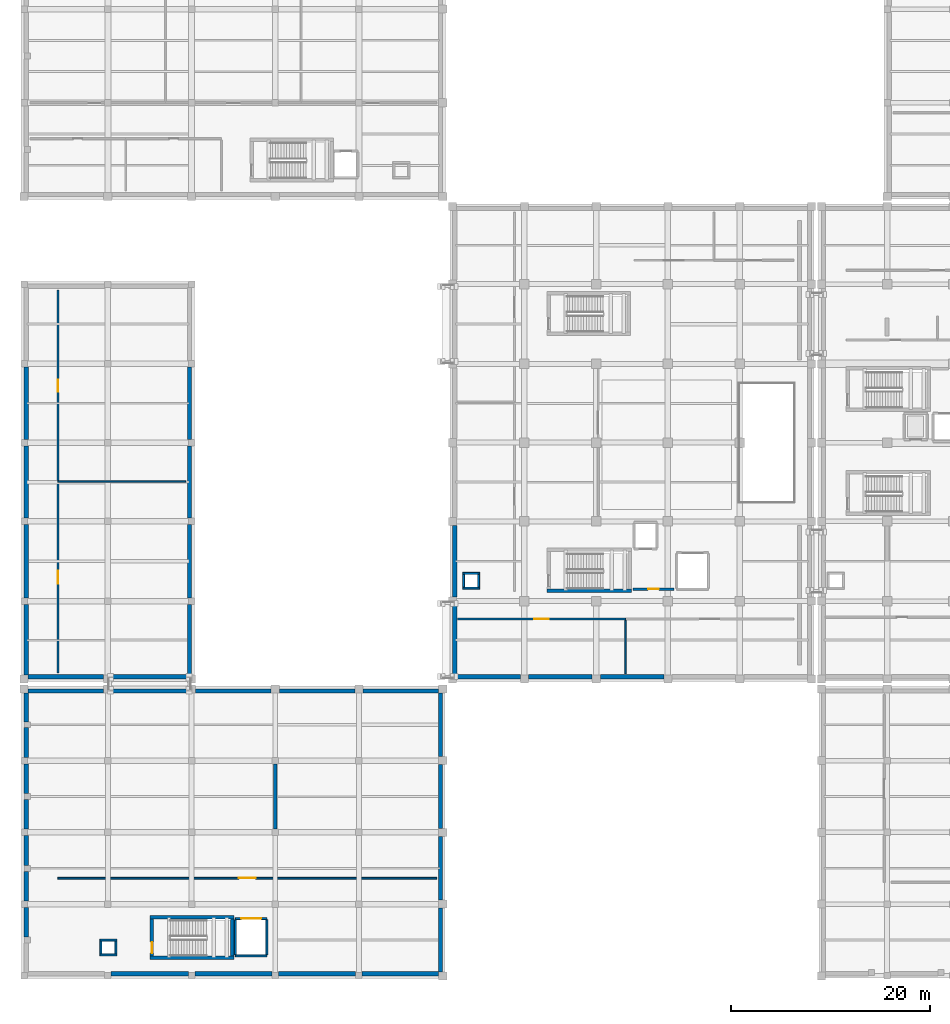
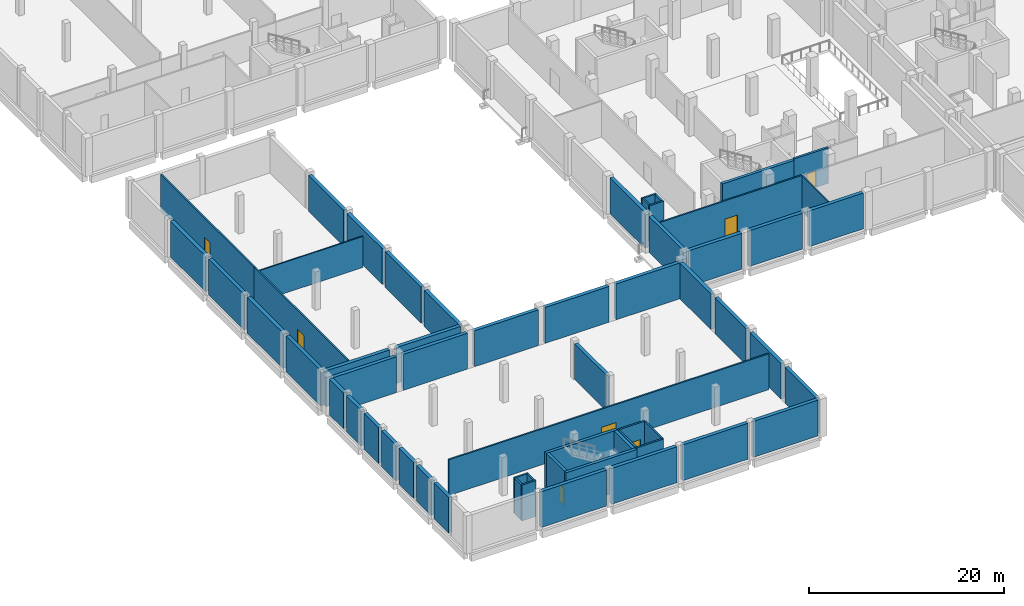
# One storey, part 12 of 31: 60 walls, 7 doors, 7 openings.
"""IFC4 building model written with IfcOpenShell, lengths in metres."""

from ifc_helpers import new_model, si_unit, direction, frame, frame_2d, origin, place, context, subcontext, project, spatial, rectangle, extrude, material, layer, layer_set, type_object, element, fill, save


model = new_model("IFC4")

# Units and contexts
model_context = context("Model", 3, precision=1e-05, world=origin(), true_north=direction((0.0, 1.0)))
body_context = subcontext(model_context, "Body", "Model", "MODEL_VIEW")
ifc_project = project(units=[si_unit("LENGTHUNIT", "METRE"), si_unit("AREAUNIT", "SQUARE_METRE"), si_unit("VOLUMEUNIT", "CUBIC_METRE"), si_unit("PLANEANGLEUNIT", "RADIAN"), si_unit("MASSUNIT", "GRAM", prefix="KILO")], contexts=[model_context])

# Site, building, storey
site_placement = place(None, origin())
site = spatial("IfcSite", under=ifc_project, at=site_placement, CompositionType="ELEMENT")
building_placement = place(site_placement, origin())
building = spatial("IfcBuilding", under=site, at=building_placement, Name="Kelarvand Opera House", CompositionType="ELEMENT")
storey_placement = place(building_placement, frame((0.0, 0.0, -4.800048828125)))
storey = spatial("IfcBuildingStorey", under=building, at=storey_placement, Name="B1", CompositionType="ELEMENT", Elevation=-4.800048828125)

# Walls
ifc_material_1 = material(Name="Acoustic double-stud gypsum partition")
ifc_layer_1 = layer(ifc_material_1, 0.14990234375, Name="Acoustic double-stud gypsum partition")
ifc_layer_set_1 = layer_set([ifc_layer_1], Name="Acoustic double-stud gypsum partition")
wall_type_1 = type_object("IfcWallType", Name="Acoustic Room Partition Wall 150", PredefinedType="PARTITIONING", material=ifc_layer_set_1)
wall_1_placement = place(storey_placement, frame((69.35009765625, 39.300048828125, 0.0), z_axis=(0.0, 0.0, 1.0), x_axis=(0.0, 1.0, 0.0)))
element("IfcWall", 1, at=wall_1_placement, inside=storey, type_object=wall_type_1, Name="V2 B1 Partition Wall IW-150 (178)", PredefinedType="PARTITIONING", context=body_context, shape_type="SweptSolid", body=[
    extrude(rectangle(XDim=5.35986328125, YDim=0.14990234375, at=frame_2d((2.679931640625, 0.0))), origin(), (0.0, 0.0, 1.0), 4.47216796875),
])
wall_2_placement = place(storey_placement, frame((12.39990234375, 58.60009765625, 0.0), z_axis=(0.0, 0.0, 1.0), x_axis=(1.0, 0.0, 0.0)))
element("IfcWall", 2, at=wall_2_placement, inside=storey, type_object=wall_type_1, Name="V4 B1 Partition Wall IW-150 (195)", PredefinedType="PARTITIONING", context=body_context, shape_type="SweptSolid", body=[
    extrude(rectangle(XDim=12.800048828125, YDim=0.14990234375, at=frame_2d((6.39990234375, 0.0))), origin(), (0.0, 0.0, 1.0), 3.89208984375),
])
ifc_material_2 = material(Name="Concrete C35/45", Category="concrete")
ifc_layer_2 = layer(ifc_material_2, 0.419921875, Name="Concrete C35/45", Category="concrete")
ifc_layer_set_2 = layer_set([ifc_layer_2], Name="Concrete C35/45")
wall_type_2 = type_object("IfcWallType", Name="Basement Perimeter Retaining Wall 420", PredefinedType="SHEAR", material=ifc_layer_set_2)
wall_3_placement = place(storey_placement, frame((52.2099609375, 39.2099609375, 0.0), z_axis=(0.0, 0.0, 1.0), x_axis=(0.0, 1.0, 0.0)))
element("IfcWall", 3, at=wall_3_placement, inside=storey, type_object=wall_type_2, Name="V2 B1 Retaining Wall 209", PredefinedType="SHEAR", context=body_context, shape_type="SweptSolid", body=[
    extrude(rectangle(XDim=6.97998046875, YDim=0.419921875, at=frame_2d((3.489990234375, 0.0))), origin(), (0.0, 0.0, 1.0), 4.5),
])
wall_4_placement = place(storey_placement, frame((52.2099609375, 47.010009765625, 0.0), z_axis=(0.0, 0.0, 1.0), x_axis=(0.0, 1.0, 0.0)))
element("IfcWall", 4, at=wall_4_placement, inside=storey, type_object=wall_type_2, Name="V2 B1 Retaining Wall 210", PredefinedType="SHEAR", context=body_context, shape_type="SweptSolid", body=[
    extrude(rectangle(XDim=7.179931640625, YDim=0.419921875, at=frame_2d((3.58984375, 0.0))), origin(), (0.0, 0.0, 1.0), 4.5),
])
for number, where, z_axis, x_axis, name in (
    (5, (73.18994140625, 39.010009765625, 0.0), (0.0, 0.0, 1.0), (-1.0, 0.0, 0.0), "V2 B1 Retaining Wall 217"),
    (6, (65.989990234375, 39.010009765625, 0.0), (0.0, 0.0, 1.0), (-1.0, 0.0, 0.0), "V2 B1 Retaining Wall 218"),
):
    element("IfcWall", number, at=place(storey_placement, frame(where, z_axis=z_axis, x_axis=x_axis)), inside=storey, type_object=wall_type_2, Name=name, PredefinedType="SHEAR", context=body_context, shape_type="SweptSolid", body=[
        extrude(rectangle(XDim=6.3798828125, YDim=0.419921875, at=frame_2d((3.18994140625, 0.0))), origin(), (0.0, 0.0, 1.0), 4.5),
    ])
wall_5_placement = place(storey_placement, frame((58.7900390625, 39.010009765625, 0.0), z_axis=(0.0, 0.0, 1.0), x_axis=(-1.0, 0.0, 0.0)))
element("IfcWall", 7, at=wall_5_placement, inside=storey, type_object=wall_type_2, Name="V2 B1 Retaining Wall 219", PredefinedType="SHEAR", context=body_context, shape_type="SweptSolid", body=[
    extrude(rectangle(XDim=6.380126953125, YDim=0.419921875, at=frame_2d((3.18994140625, 0.0))), origin(), (0.0, 0.0, 1.0), 4.5),
])
for number, where, z_axis, x_axis, name in (
    (8, (9.2099609375, 12.89990234375, 0.0), (0.0, 0.0, 1.0), (0.0, 1.0, 0.0), "V4 B1 Retaining Wall 467"),
    (9, (9.2099609375, 16.52490234375, 0.0), (0.0, 0.0, 1.0), (0.0, 1.0, 0.0), "V4 B1 Retaining Wall 468"),
):
    element("IfcWall", number, at=place(storey_placement, frame(where, z_axis=z_axis, x_axis=x_axis)), inside=storey, type_object=wall_type_2, Name=name, PredefinedType="SHEAR", context=body_context, shape_type="SweptSolid", body=[
        extrude(rectangle(XDim=2.97509765625, YDim=0.419921875, at=frame_2d((1.487548828125, 0.0))), origin(), (0.0, 0.0, 1.0), 4.5),
    ])
for number, where, z_axis, x_axis, name in (
    (10, (9.2099609375, 20.10009765625, 0.0), (0.0, 0.0, 1.0), (0.0, 1.0, 0.0), "V4 B1 Retaining Wall 469"),
    (11, (9.2099609375, 23.72509765625, 0.0), (0.0, 0.0, 1.0), (0.0, 1.0, 0.0), "V4 B1 Retaining Wall 470"),
    (12, (9.2099609375, 27.300048828125, 0.0), (0.0, 0.0, 1.0), (0.0, 1.0, 0.0), "V4 B1 Retaining Wall 471"),
    (13, (9.2099609375, 30.925048828125, 0.0), (0.0, 0.0, 1.0), (0.0, 1.0, 0.0), "V4 B1 Retaining Wall 472"),
):
    element("IfcWall", number, at=place(storey_placement, frame(where, z_axis=z_axis, x_axis=x_axis)), inside=storey, type_object=wall_type_2, Name=name, PredefinedType="SHEAR", context=body_context, shape_type="SweptSolid", body=[
        extrude(rectangle(XDim=2.974853515625, YDim=0.419921875, at=frame_2d((1.4873046875, 0.0))), origin(), (0.0, 0.0, 1.0), 4.5),
    ])
wall_6_placement = place(storey_placement, frame((9.2099609375, 34.5, 0.0), z_axis=(0.0, 0.0, 1.0), x_axis=(0.0, 1.0, 0.0)))
element("IfcWall", 14, at=wall_6_placement, inside=storey, type_object=wall_type_2, Name="V4 B1 Retaining Wall 473", PredefinedType="SHEAR", context=body_context, shape_type="SweptSolid", body=[
    extrude(rectangle(XDim=2.889892578125, YDim=0.419921875, at=frame_2d((1.44482421875, 0.0))), origin(), (0.0, 0.0, 1.0), 4.5),
])
wall_7_placement = place(storey_placement, frame((9.409912109375, 37.590087890625, 0.0), z_axis=(0.0, 0.0, 1.0), x_axis=(1.0, 0.0, 0.0)))
element("IfcWall", 15, at=wall_7_placement, inside=storey, type_object=wall_type_2, Name="V4 B1 Retaining Wall 474", PredefinedType="SHEAR", context=body_context, shape_type="SweptSolid", body=[
    extrude(rectangle(XDim=7.580078125, YDim=0.419921875, at=frame_2d((3.7900390625, 0.0))), origin(), (0.0, 0.0, 1.0), 4.5),
])
wall_8_placement = place(storey_placement, frame((17.81005859375, 37.590087890625, 0.0), z_axis=(0.0, 0.0, 1.0), x_axis=(1.0, 0.0, 0.0)))
element("IfcWall", 16, at=wall_8_placement, inside=storey, type_object=wall_type_2, Name="V4 B1 Retaining Wall 475", PredefinedType="SHEAR", context=body_context, shape_type="SweptSolid", body=[
    extrude(rectangle(XDim=7.579833984375, YDim=0.419921875, at=frame_2d((3.7900390625, 0.0))), origin(), (0.0, 0.0, 1.0), 4.5),
])
wall_9_placement = place(storey_placement, frame((26.2099609375, 37.590087890625, 0.0), z_axis=(0.0, 0.0, 1.0), x_axis=(1.0, 0.0, 0.0)))
element("IfcWall", 17, at=wall_9_placement, inside=storey, type_object=wall_type_2, Name="V4 B1 Retaining Wall 476", PredefinedType="SHEAR", context=body_context, shape_type="SweptSolid", body=[
    extrude(rectangle(XDim=7.580078125, YDim=0.419921875, at=frame_2d((3.7900390625, 0.0))), origin(), (0.0, 0.0, 1.0), 4.5),
])
wall_10_placement = place(storey_placement, frame((34.610107421875, 37.590087890625, 0.0), z_axis=(0.0, 0.0, 1.0), x_axis=(1.0, 0.0, 0.0)))
element("IfcWall", 18, at=wall_10_placement, inside=storey, type_object=wall_type_2, Name="V4 B1 Retaining Wall 477", PredefinedType="SHEAR", context=body_context, shape_type="SweptSolid", body=[
    extrude(rectangle(XDim=7.579833984375, YDim=0.419921875, at=frame_2d((3.7900390625, 0.0))), origin(), (0.0, 0.0, 1.0), 4.5),
])
wall_11_placement = place(storey_placement, frame((43.010009765625, 37.590087890625, 0.0), z_axis=(0.0, 0.0, 1.0), x_axis=(1.0, 0.0, 0.0)))
element("IfcWall", 19, at=wall_11_placement, inside=storey, type_object=wall_type_2, Name="V4 B1 Retaining Wall 478", PredefinedType="SHEAR", context=body_context, shape_type="SweptSolid", body=[
    extrude(rectangle(XDim=7.580078125, YDim=0.419921875, at=frame_2d((3.7900390625, 0.0))), origin(), (0.0, 0.0, 1.0), 4.5),
])
for number, where, z_axis, x_axis, name in (
    (20, (50.7900390625, 37.389892578125, 0.0), (0.0, 0.0, 1.0), (0.0, -1.0, 0.0), "V4 B1 Retaining Wall 479"),
    (21, (50.7900390625, 30.18994140625, 0.0), (0.0, 0.0, 1.0), (0.0, -1.0, 0.0), "V4 B1 Retaining Wall 480"),
    (22, (50.7900390625, 22.989990234375, 0.0), (0.0, 0.0, 1.0), (0.0, -1.0, 0.0), "V4 B1 Retaining Wall 481"),
):
    element("IfcWall", number, at=place(storey_placement, frame(where, z_axis=z_axis, x_axis=x_axis)), inside=storey, type_object=wall_type_2, Name=name, PredefinedType="SHEAR", context=body_context, shape_type="SweptSolid", body=[
        extrude(rectangle(XDim=6.3798828125, YDim=0.419921875, at=frame_2d((3.18994140625, 0.0))), origin(), (0.0, 0.0, 1.0), 4.5),
    ])
wall_12_placement = place(storey_placement, frame((50.7900390625, 15.7900390625, 0.0), z_axis=(0.0, 0.0, 1.0), x_axis=(0.0, -1.0, 0.0)))
element("IfcWall", 23, at=wall_12_placement, inside=storey, type_object=wall_type_2, Name="V4 B1 Retaining Wall 482", PredefinedType="SHEAR", context=body_context, shape_type="SweptSolid", body=[
    extrude(rectangle(XDim=6.380126953125, YDim=0.419921875, at=frame_2d((3.18994140625, 0.0))), origin(), (0.0, 0.0, 1.0), 4.5),
])
wall_13_placement = place(storey_placement, frame((50.590087890625, 9.2099609375, 0.0), z_axis=(0.0, 0.0, 1.0), x_axis=(-1.0, 0.0, 0.0)))
element("IfcWall", 24, at=wall_13_placement, inside=storey, type_object=wall_type_2, Name="V4 B1 Retaining Wall 483", PredefinedType="SHEAR", context=body_context, shape_type="SweptSolid", body=[
    extrude(rectangle(XDim=7.6650390625, YDim=0.419921875, at=frame_2d((3.83251953125, 0.0))), origin(), (0.0, 0.0, 1.0), 4.5),
])
for number, where, z_axis, x_axis, name in (
    (25, (42.27490234375, 9.2099609375, 0.0), (0.0, 0.0, 1.0), (-1.0, 0.0, 0.0), "V4 B1 Retaining Wall 484"),
    (26, (33.875, 9.2099609375, 0.0), (0.0, 0.0, 1.0), (-1.0, 0.0, 0.0), "V4 B1 Retaining Wall 485"),
    (27, (25.47509765625, 9.2099609375, 0.0), (0.0, 0.0, 1.0), (-1.0, 0.0, 0.0), "V4 B1 Retaining Wall 486"),
):
    element("IfcWall", number, at=place(storey_placement, frame(where, z_axis=z_axis, x_axis=x_axis)), inside=storey, type_object=wall_type_2, Name=name, PredefinedType="SHEAR", context=body_context, shape_type="SweptSolid", body=[
        extrude(rectangle(XDim=7.75, YDim=0.419921875, at=frame_2d((3.875, 0.0))), origin(), (0.0, 0.0, 1.0), 4.5),
    ])
wall_14_placement = place(storey_placement, frame((9.2099609375, 39.2099609375, 0.0), z_axis=(0.0, 0.0, 1.0), x_axis=(0.0, 1.0, 0.0)))
element("IfcWall", 28, at=wall_14_placement, inside=storey, type_object=wall_type_2, Name="V4 B1 Retaining Wall 488", PredefinedType="SHEAR", context=body_context, shape_type="SweptSolid", body=[
    extrude(rectangle(XDim=7.06494140625, YDim=0.419921875, at=frame_2d((3.532470703125, 0.0))), origin(), (0.0, 0.0, 1.0), 4.5),
])
wall_15_placement = place(storey_placement, frame((9.2099609375, 46.925048828125, 0.0), z_axis=(0.0, 0.0, 1.0), x_axis=(0.0, 1.0, 0.0)))
element("IfcWall", 29, at=wall_15_placement, inside=storey, type_object=wall_type_2, Name="V4 B1 Retaining Wall 489", PredefinedType="SHEAR", context=body_context, shape_type="SweptSolid", body=[
    extrude(rectangle(XDim=7.349853515625, YDim=0.419921875, at=frame_2d((3.6748046875, 0.0))), origin(), (0.0, 0.0, 1.0), 4.5),
])
for number, where, z_axis, x_axis, name in (
    (30, (9.2099609375, 54.925048828125, 0.0), (0.0, 0.0, 1.0), (0.0, 1.0, 0.0), "V4 B1 Retaining Wall 490"),
    (31, (9.2099609375, 62.824951171875, 0.0), (0.0, 0.0, 1.0), (0.0, 1.0, 0.0), "V4 B1 Retaining Wall 491"),
    (32, (25.590087890625, 70.074951171875, 0.0), (0.0, 0.0, 1.0), (0.0, -1.0, 0.0), "V4 B1 Retaining Wall 496"),
    (33, (25.590087890625, 62.175048828125, 0.0), (0.0, 0.0, 1.0), (0.0, -1.0, 0.0), "V4 B1 Retaining Wall 497"),
):
    element("IfcWall", number, at=place(storey_placement, frame(where, z_axis=z_axis, x_axis=x_axis)), inside=storey, type_object=wall_type_2, Name=name, PredefinedType="SHEAR", context=body_context, shape_type="SweptSolid", body=[
        extrude(rectangle(XDim=7.25, YDim=0.419921875, at=frame_2d((3.625, 0.0))), origin(), (0.0, 0.0, 1.0), 4.5),
    ])
wall_16_placement = place(storey_placement, frame((25.590087890625, 54.27490234375, 0.0), z_axis=(0.0, 0.0, 1.0), x_axis=(0.0, -1.0, 0.0)))
element("IfcWall", 34, at=wall_16_placement, inside=storey, type_object=wall_type_2, Name="V4 B1 Retaining Wall 498", PredefinedType="SHEAR", context=body_context, shape_type="SweptSolid", body=[
    extrude(rectangle(XDim=7.349853515625, YDim=0.419921875, at=frame_2d((3.6748046875, 0.0))), origin(), (0.0, 0.0, 1.0), 4.5),
])
wall_17_placement = place(storey_placement, frame((25.590087890625, 46.27490234375, 0.0), z_axis=(0.0, 0.0, 1.0), x_axis=(0.0, -1.0, 0.0)))
element("IfcWall", 35, at=wall_17_placement, inside=storey, type_object=wall_type_2, Name="V4 B1 Retaining Wall 499", PredefinedType="SHEAR", context=body_context, shape_type="SweptSolid", body=[
    extrude(rectangle(XDim=7.06494140625, YDim=0.419921875, at=frame_2d((3.532470703125, 0.0))), origin(), (0.0, 0.0, 1.0), 4.5),
])
wall_18_placement = place(storey_placement, frame((25.389892578125, 39.010009765625, 0.0), z_axis=(0.0, 0.0, 1.0), x_axis=(-1.0, 0.0, 0.0)))
element("IfcWall", 36, at=wall_18_placement, inside=storey, type_object=wall_type_2, Name="V4 B1 Retaining Wall 500", PredefinedType="SHEAR", context=body_context, shape_type="SweptSolid", body=[
    extrude(rectangle(XDim=7.579833984375, YDim=0.419921875, at=frame_2d((3.7900390625, 0.0))), origin(), (0.0, 0.0, 1.0), 4.5),
])
wall_19_placement = place(storey_placement, frame((16.989990234375, 39.010009765625, 0.0), z_axis=(0.0, 0.0, 1.0), x_axis=(-1.0, 0.0, 0.0)))
element("IfcWall", 37, at=wall_19_placement, inside=storey, type_object=wall_type_2, Name="V4 B1 Retaining Wall 501", PredefinedType="SHEAR", context=body_context, shape_type="SweptSolid", body=[
    extrude(rectangle(XDim=7.580078125, YDim=0.419921875, at=frame_2d((3.7900390625, 0.0))), origin(), (0.0, 0.0, 1.0), 4.5),
])
ifc_material_3 = material(Name="Concrete C40/50", Category="concrete")
ifc_layer_3 = layer(ifc_material_3, 0.35009765625, Name="Concrete C40/50", Category="concrete")
ifc_layer_set_3 = layer_set([ifc_layer_3], Name="Concrete C40/50")
wall_type_3 = type_object("IfcWallType", Name="Core Stair and Lift Shear Wall 350", PredefinedType="SHEAR", material=ifc_layer_set_3)
wall_20_placement = place(storey_placement, frame((61.449951171875, 47.625, 0.0), z_axis=(0.0, 0.0, 1.0), x_axis=(1.0, 0.0, 0.0)))
element("IfcWall", 38, at=wall_20_placement, inside=storey, type_object=wall_type_3, Name="C2 Stair Core Shear Wall S B1", PredefinedType="SHEAR", context=body_context, shape_type="SweptSolid", body=[
    extrude(rectangle(XDim=8.5, YDim=0.35009765625, at=frame_2d((4.25, 0.0))), origin(), (0.0, 0.0, 1.0), 4.47998046875),
])
for number, where, z_axis, x_axis, name in (
    (39, (21.64990234375, 10.824951171875, 0.0), (0.0, 0.0, 1.0), (1.0, 0.0, 0.0), "C6 Stair Core Shear Wall S B1"),
    (40, (30.050048828125, 14.875, 0.0), (0.0, 0.0, 1.0), (-1.0, 0.0, 0.0), "C6 Stair Core Shear Wall N B1"),
):
    element("IfcWall", number, at=place(storey_placement, frame(where, z_axis=z_axis, x_axis=x_axis)), inside=storey, type_object=wall_type_3, Name=name, PredefinedType="SHEAR", context=body_context, shape_type="SweptSolid", body=[
        extrude(rectangle(XDim=8.400146484375, YDim=0.35009765625, at=frame_2d((4.2001953125, 0.0))), origin(), (0.0, 0.0, 1.0), 4.5),
    ])

# Wall, opening, door
wall_21_placement = place(storey_placement, frame((21.824951171875, 11.0, 0.0), z_axis=(0.0, 0.0, 1.0), x_axis=(0.0, 1.0, 0.0)))
wall_21 = element("IfcWall", 41, at=wall_21_placement, inside=storey, type_object=wall_type_3, Name="C6 Stair Core Shear Wall W B1", PredefinedType="SHEAR", context=body_context, shape_type="SweptSolid", body=[
    extrude(rectangle(XDim=3.699951171875, YDim=0.35009765625, at=frame_2d((1.85009765625, 0.0))), origin(), (0.0, 0.0, 1.0), 4.5),
])
opening_1_placement = place(wall_21_placement, frame((0.280029296875, 0.0, 0.0)))
opening_1 = element("IfcOpeningElement", 42, at=opening_1_placement, cuts=wall_21, Name="Opening FD-01", PredefinedType="OPENING", context=body_context, shape_type="SweptSolid", body=[
    extrude(rectangle(XDim=1.10009765625, YDim=2.080078125, at=frame_2d((0.550048828125, 1.0400390625))), frame((0.0, 0.18505859375, 0.0), z_axis=(0.0, -1.0, 0.0), x_axis=(1.0, 0.0, 0.0)), (0.0, 0.0, 1.0), 0.3701171875),
])
ifc_material_4 = material(Name="Fire-rated brushed stainless steel", Category="steel")
door_type_1 = type_object("IfcDoorType", Name="Steel Fire-Rated Stair and FF Lobby Door 1100x2080", OperationType="NOTDEFINED", PredefinedType="DOOR", material=ifc_material_4)
door_1_placement = place(opening_1_placement, origin())
door_1 = element("IfcDoor", 43, at=door_1_placement, inside=storey, type_object=door_type_1, Name="C6 Stair ST-06 Fire Door B1", OperationType="SINGLE_SWING_LEFT", OverallHeight=2.080078125, OverallWidth=1.10009765625, PredefinedType="DOOR", context=body_context, shape_type="SweptSolid", body=[
    extrude(rectangle(XDim=1.10009765625, YDim=2.080078125, at=frame_2d((0.550048828125, 1.0400390625))), frame((0.0, 0.02490234375, 0.0), z_axis=(0.0, -1.0, 0.0), x_axis=(1.0, 0.0, 0.0)), (0.0, 0.0, 1.0), 0.050048828125),
])
fill(opening_1, door_1)

# Wall
wall_22_placement = place(storey_placement, frame((29.875, 14.699951171875, 0.0), z_axis=(0.0, 0.0, 1.0), x_axis=(0.0, -1.0, 0.0)))
element("IfcWall", 44, at=wall_22_placement, inside=storey, type_object=wall_type_3, Name="C6 Stair Core Shear Wall E B1", PredefinedType="SHEAR", context=body_context, shape_type="SweptSolid", body=[
    extrude(rectangle(XDim=3.699951171875, YDim=0.35009765625, at=frame_2d((1.85009765625, 0.0))), origin(), (0.0, 0.0, 1.0), 4.5),
])

# Wall, opening, door
ifc_layer_4 = layer(ifc_material_2, 0.179931640625, Name="Concrete C35/45", Category="concrete")
ifc_layer_set_4 = layer_set([ifc_layer_4], Name="Concrete C35/45")
wall_type_4 = type_object("IfcWallType", Name="Corridor Fire-Rated Partition Wall 180 EI90", PredefinedType="PARTITIONING", material=ifc_layer_set_4)
wall_23_placement = place(storey_placement, frame((52.5, 44.800048828125, 0.0), z_axis=(0.0, 0.0, 1.0), x_axis=(1.0, 0.0, 0.0)))
wall_23 = element("IfcWall", 45, at=wall_23_placement, inside=storey, type_object=wall_type_4, Name="V2 B1 Partition Wall IW-90 (177)", PredefinedType="PARTITIONING", context=body_context, shape_type="SweptSolid", body=[
    extrude(rectangle(XDim=16.85009765625, YDim=0.179931640625, at=frame_2d((8.425048828125, 0.0))), origin(), (0.0, 0.0, 1.0), 4.47216796875),
])
opening_2_placement = place(wall_23_placement, frame((7.68505859375, 0.0, 0.0)))
opening_2 = element("IfcOpeningElement", 46, at=opening_2_placement, cuts=wall_23, Name="Opening D-13", PredefinedType="OPENING", context=body_context, shape_type="SweptSolid", body=[
    extrude(rectangle(XDim=1.47998046875, YDim=2.179931640625, at=frame_2d((0.739990234375, 1.08984375))), frame((0.0, 0.10009765625, 0.0), z_axis=(0.0, -1.0, 0.0), x_axis=(1.0, 0.0, 0.0)), (0.0, 0.0, 1.0), 0.199951171875),
])
ifc_material_5 = material(Name="Acoustic walnut-veneered hardwood", Category="wood")
door_type_2 = type_object("IfcDoorType", Name="Academy Recital Double Door 1480x2180", OperationType="NOTDEFINED", PredefinedType="DOOR", material=ifc_material_5)
door_2_placement = place(opening_2_placement, origin())
door_2 = element("IfcDoor", 47, at=door_2_placement, inside=storey, type_object=door_type_2, Name="V2 B1 Door D-13 (75)", OperationType="DOUBLE_DOOR_SINGLE_SWING", OverallHeight=2.179931640625, OverallWidth=1.47998046875, PredefinedType="DOOR", context=body_context, shape_type="SweptSolid", body=[
    extrude(rectangle(XDim=1.47998046875, YDim=2.179931640625, at=frame_2d((0.739990234375, 1.08984375))), frame((0.0, 0.02490234375, 0.0), z_axis=(0.0, -1.0, 0.0), x_axis=(1.0, 0.0, 0.0)), (0.0, 0.0, 1.0), 0.050048828125),
])
fill(opening_2, door_2)

wall_24_placement = place(storey_placement, frame((12.39990234375, 18.800048828125, 0.0), z_axis=(0.0, 0.0, 1.0), x_axis=(1.0, 0.0, 0.0)))
wall_24 = element("IfcWall", 48, at=wall_24_placement, inside=storey, type_object=wall_type_4, Name="V4 B1 Partition Wall IW-90 (193)", PredefinedType="PARTITIONING", context=body_context, shape_type="SweptSolid", body=[
    extrude(rectangle(XDim=38.0, YDim=0.179931640625, at=frame_2d((19.0, 0.0))), origin(), (0.0, 0.0, 1.0), 4.491943359375),
])
opening_3_placement = place(wall_24_placement, frame((18.139892578125, 0.0, 0.0)))
opening_3 = element("IfcOpeningElement", 49, at=opening_3_placement, cuts=wall_24, Name="Opening D-15", PredefinedType="OPENING", context=body_context, shape_type="SweptSolid", body=[
    extrude(rectangle(XDim=1.719970703125, YDim=2.219970703125, at=frame_2d((0.85986328125, 1.10986328125))), frame((0.0, 0.10009765625, 0.0), z_axis=(0.0, -1.0, 0.0), x_axis=(1.0, 0.0, 0.0)), (0.0, 0.0, 1.0), 0.199951171875),
])
door_type_3 = type_object("IfcDoorType", Name="Broadcast Control Double Door 1720x2220", OperationType="NOTDEFINED", PredefinedType="DOOR", material=ifc_material_5)
door_3_placement = place(opening_3_placement, origin())
door_3 = element("IfcDoor", 50, at=door_3_placement, inside=storey, type_object=door_type_3, Name="V4 B1 Door D-15 (82)", OperationType="DOUBLE_DOOR_SINGLE_SWING", OverallHeight=2.219970703125, OverallWidth=1.719970703125, PredefinedType="DOOR", context=body_context, shape_type="SweptSolid", body=[
    extrude(rectangle(XDim=1.719970703125, YDim=2.219970703125, at=frame_2d((0.85986328125, 1.10986328125))), frame((0.0, 0.02490234375, 0.0), z_axis=(0.0, -1.0, 0.0), x_axis=(1.0, 0.0, 0.0)), (0.0, 0.0, 1.0), 0.050048828125),
])
fill(opening_3, door_3)

wall_25_placement = place(storey_placement, frame((12.39990234375, 39.39990234375, 0.0), z_axis=(0.0, 0.0, 1.0), x_axis=(0.0, 1.0, 0.0)))
wall_25 = element("IfcWall", 51, at=wall_25_placement, inside=storey, type_object=wall_type_4, Name="V4 B1 Partition Wall IW-90 (194)", PredefinedType="PARTITIONING", context=body_context, shape_type="SweptSolid", body=[
    extrude(rectangle(XDim=19.2001953125, YDim=0.179931640625, at=frame_2d((9.60009765625, 0.0))), origin(), (0.0, 0.0, 1.0), 4.491943359375),
])
opening_4_placement = place(wall_25_placement, frame((8.925048828125, 0.0, 0.0)))
opening_4 = element("IfcOpeningElement", 52, at=opening_4_placement, cuts=wall_25, Name="Opening D-12", PredefinedType="OPENING", context=body_context, shape_type="SweptSolid", body=[
    extrude(rectangle(XDim=1.35009765625, YDim=2.159912109375, at=frame_2d((0.675048828125, 1.080078125))), frame((0.0, 0.10009765625, 0.0), z_axis=(0.0, -1.0, 0.0), x_axis=(1.0, 0.0, 0.0)), (0.0, 0.0, 1.0), 0.199951171875),
])
door_type_4 = type_object("IfcDoorType", Name="Wardrobe Studio Leaf-and-Half Door 1350x2160", OperationType="NOTDEFINED", PredefinedType="DOOR", material=ifc_material_5)
door_4_placement = place(opening_4_placement, origin())
door_4 = element("IfcDoor", 53, at=door_4_placement, inside=storey, type_object=door_type_4, Name="V4 B1 Door D-12 (83)", OperationType="SINGLE_SWING_RIGHT", OverallHeight=2.159912109375, OverallWidth=1.35009765625, PredefinedType="DOOR", context=body_context, shape_type="SweptSolid", body=[
    extrude(rectangle(XDim=1.35009765625, YDim=2.159912109375, at=frame_2d((0.675048828125, 1.080078125))), frame((0.0, 0.02490234375, 0.0), z_axis=(0.0, -1.0, 0.0), x_axis=(1.0, 0.0, 0.0)), (0.0, 0.0, 1.0), 0.050048828125),
])
fill(opening_4, door_4)

wall_26_placement = place(storey_placement, frame((12.39990234375, 58.60009765625, 0.0), z_axis=(0.0, 0.0, 1.0), x_axis=(0.0, 1.0, 0.0)))
wall_26 = element("IfcWall", 54, at=wall_26_placement, inside=storey, type_object=wall_type_4, Name="V4 B1 Partition Wall IW-90 (196)", PredefinedType="PARTITIONING", context=body_context, shape_type="SweptSolid", body=[
    extrude(rectangle(XDim=19.199951171875, YDim=0.179931640625, at=frame_2d((9.60009765625, 0.0))), origin(), (0.0, 0.0, 1.0), 4.491943359375),
])
opening_5_placement = place(wall_26_placement, frame((9.0, 0.0, 0.0)))
opening_5 = element("IfcOpeningElement", 55, at=opening_5_placement, cuts=wall_26, Name="Opening D-06", PredefinedType="OPENING", context=body_context, shape_type="SweptSolid", body=[
    extrude(rectangle(XDim=1.199951171875, YDim=2.10009765625, at=frame_2d((0.60009765625, 1.050048828125))), frame((0.0, 0.10009765625, 0.0), z_axis=(0.0, -1.0, 0.0), x_axis=(1.0, 0.0, 0.0)), (0.0, 0.0, 1.0), 0.199951171875),
])
door_type_5 = type_object("IfcDoorType", Name="Accessible Suite Timber Door 1200x2100", OperationType="NOTDEFINED", PredefinedType="DOOR", material=ifc_material_5)
door_5_placement = place(opening_5_placement, origin())
door_5 = element("IfcDoor", 56, at=door_5_placement, inside=storey, type_object=door_type_5, Name="V4 B1 Door D-06 (84)", OperationType="SINGLE_SWING_LEFT", OverallHeight=2.10009765625, OverallWidth=1.199951171875, PredefinedType="DOOR", context=body_context, shape_type="SweptSolid", body=[
    extrude(rectangle(XDim=1.199951171875, YDim=2.10009765625, at=frame_2d((0.60009765625, 1.050048828125))), frame((0.0, 0.02490234375, 0.0), z_axis=(0.0, -1.0, 0.0), x_axis=(1.0, 0.0, 0.0)), (0.0, 0.0, 1.0), 0.050048828125),
])
fill(opening_5, door_5)

ifc_layer_5 = layer(ifc_material_2, 0.239990234375, Name="Concrete C35/45", Category="concrete")
ifc_layer_set_5 = layer_set([ifc_layer_5], Name="Concrete C35/45")
wall_type_5 = type_object("IfcWallType", Name="Firefighting Lobby Partition Wall 240 EI120", PredefinedType="PARTITIONING", material=ifc_layer_set_5)
wall_27_placement = place(storey_placement, frame((70.10009765625, 47.800048828125, 0.0), z_axis=(0.0, 0.0, 1.0), x_axis=(1.0, 0.0, 0.0)))
wall_27 = element("IfcWall", 57, at=wall_27_placement, inside=storey, type_object=wall_type_5, Name="V2 B1 Partition Wall IW-120 (127)", PredefinedType="PARTITIONING", context=body_context, shape_type="SweptSolid", body=[
    extrude(rectangle(XDim=4.099853515625, YDim=0.239990234375, at=frame_2d((2.0498046875, 0.0))), origin(), (0.0, 0.0, 1.0), 4.47216796875),
])
opening_6_placement = place(wall_27_placement, frame((1.5, 0.0, 0.0)))
opening_6 = element("IfcOpeningElement", 58, at=opening_6_placement, cuts=wall_27, Name="Opening FD-01", PredefinedType="OPENING", context=body_context, shape_type="SweptSolid", body=[
    extrude(rectangle(XDim=1.10009765625, YDim=2.080078125, at=frame_2d((0.550048828125, 1.0400390625))), frame((0.0, 0.1298828125, 0.0), z_axis=(0.0, -1.0, 0.0), x_axis=(1.0, 0.0, 0.0)), (0.0, 0.0, 1.0), 0.260009765625),
])
door_6_placement = place(opening_6_placement, origin())
door_6 = element("IfcDoor", 59, at=door_6_placement, inside=storey, type_object=door_type_1, Name="V2 B1 Door FD-01 (53)", OperationType="SINGLE_SWING_RIGHT", OverallHeight=2.080078125, OverallWidth=1.10009765625, PredefinedType="DOOR", context=body_context, shape_type="SweptSolid", body=[
    extrude(rectangle(XDim=1.10009765625, YDim=2.080078125, at=frame_2d((0.550048828125, 1.0400390625))), frame((0.0, 0.02490234375, 0.0), z_axis=(0.0, -1.0, 0.0), x_axis=(1.0, 0.0, 0.0)), (0.0, 0.0, 1.0), 0.050048828125),
])
fill(opening_6, door_6)

# Walls
ifc_layer_6 = layer(ifc_material_2, 0.199951171875, Name="Concrete C35/45", Category="concrete")
ifc_layer_set_6 = layer_set([ifc_layer_6], Name="Concrete C35/45")
wall_type_6 = type_object("IfcWallType", Name="Lift and Riser Shaft Enclosure Wall 200 EI120", PredefinedType="PARTITIONING", material=ifc_layer_set_6)
for number, where, z_axis, x_axis, name in (
    (60, (53.0, 47.89990234375, 0.0), (0.0, 0.0, 1.0), (1.0, 0.0, 0.0), "RSR-V2 B1 Riser Shaft Wall 33"),
    (61, (54.699951171875, 49.39990234375, 0.0), (0.0, 0.0, 1.0), (-1.0, 0.0, 0.0), "RSR-V2 B1 Riser Shaft Wall 34"),
):
    element("IfcWall", number, at=place(storey_placement, frame(where, z_axis=z_axis, x_axis=x_axis)), inside=storey, type_object=wall_type_6, Name=name, PredefinedType="PARTITIONING", context=body_context, shape_type="SweptSolid", body=[
        extrude(rectangle(XDim=1.699951171875, YDim=0.199951171875, at=frame_2d((0.85009765625, 0.0))), origin(), (0.0, 0.0, 1.0), 4.5),
    ])
for number, where, z_axis, x_axis, name in (
    (62, (53.10009765625, 48.0, 0.0), (0.0, 0.0, 1.0), (0.0, 1.0, 0.0), "RSR-V2 B1 Riser Shaft Wall 35"),
    (63, (54.60009765625, 49.300048828125, 0.0), (0.0, 0.0, 1.0), (0.0, -1.0, 0.0), "RSR-V2 B1 Riser Shaft Wall 36"),
):
    element("IfcWall", number, at=place(storey_placement, frame(where, z_axis=z_axis, x_axis=x_axis)), inside=storey, type_object=wall_type_6, Name=name, PredefinedType="PARTITIONING", context=body_context, shape_type="SweptSolid", body=[
        extrude(rectangle(XDim=1.300048828125, YDim=0.199951171875, at=frame_2d((0.64990234375, 0.0))), origin(), (0.0, 0.0, 1.0), 4.5),
    ])
for number, where, z_axis, x_axis, name in (
    (64, (16.60009765625, 11.10009765625, 0.0), (0.0, 0.0, 1.0), (1.0, 0.0, 0.0), "RSR-V4 B1 Riser Shaft Wall 101"),
    (65, (18.300048828125, 12.60009765625, 0.0), (0.0, 0.0, 1.0), (-1.0, 0.0, 0.0), "RSR-V4 B1 Riser Shaft Wall 102"),
):
    element("IfcWall", number, at=place(storey_placement, frame(where, z_axis=z_axis, x_axis=x_axis)), inside=storey, type_object=wall_type_6, Name=name, PredefinedType="PARTITIONING", context=body_context, shape_type="SweptSolid", body=[
        extrude(rectangle(XDim=1.699951171875, YDim=0.199951171875, at=frame_2d((0.85009765625, 0.0))), origin(), (0.0, 0.0, 1.0), 4.5),
    ])
for number, where, z_axis, x_axis, name in (
    (66, (16.699951171875, 11.199951171875, 0.0), (0.0, 0.0, 1.0), (0.0, 1.0, 0.0), "RSR-V4 B1 Riser Shaft Wall 103"),
    (67, (18.199951171875, 12.5, 0.0), (0.0, 0.0, 1.0), (0.0, -1.0, 0.0), "RSR-V4 B1 Riser Shaft Wall 104"),
):
    element("IfcWall", number, at=place(storey_placement, frame(where, z_axis=z_axis, x_axis=x_axis)), inside=storey, type_object=wall_type_6, Name=name, PredefinedType="PARTITIONING", context=body_context, shape_type="SweptSolid", body=[
        extrude(rectangle(XDim=1.300048828125, YDim=0.199951171875, at=frame_2d((0.64990234375, 0.0))), origin(), (0.0, 0.0, 1.0), 4.5),
    ])
wall_28_placement = place(storey_placement, frame((30.199951171875, 11.0, 0.0), z_axis=(0.0, 0.0, 1.0), x_axis=(1.0, 0.0, 0.0)))
element("IfcWall", 68, at=wall_28_placement, inside=storey, type_object=wall_type_6, Name="V4 B1 Partition Wall SW-200 (131)", PredefinedType="PARTITIONING", context=body_context, shape_type="SweptSolid", body=[
    extrude(rectangle(XDim=3.150146484375, YDim=0.199951171875, at=frame_2d((1.5751953125, 0.0))), origin(), (0.0, 0.0, 1.0), 4.491943359375),
])

# Wall, opening, door
wall_29_placement = place(storey_placement, frame((33.35009765625, 14.75, 0.0), z_axis=(0.0, 0.0, 1.0), x_axis=(-1.0, 0.0, 0.0)))
wall_29 = element("IfcWall", 69, at=wall_29_placement, inside=storey, type_object=wall_type_6, Name="V4 B1 Partition Wall SW-200 (132)", PredefinedType="PARTITIONING", context=body_context, shape_type="SweptSolid", body=[
    extrude(rectangle(XDim=3.150146484375, YDim=0.199951171875, at=frame_2d((1.5751953125, 0.0))), origin(), (0.0, 0.0, 1.0), 4.491943359375),
])
opening_7_placement = place(wall_29_placement, frame((0.574951171875, 0.0, 0.0)))
opening_7 = element("IfcOpeningElement", 70, at=opening_7_placement, cuts=wall_29, Name="Opening LD-03", PredefinedType="OPENING", context=body_context, shape_type="SweptSolid", body=[
    extrude(rectangle(XDim=2.0, YDim=2.35009765625, at=frame_2d((1.0, 1.175048828125))), frame((0.0, 0.10986328125, 0.0), z_axis=(0.0, -1.0, 0.0), x_axis=(1.0, 0.0, 0.0)), (0.0, 0.0, 1.0), 0.219970703125),
])
door_type_6 = type_object("IfcDoorType", Name="Scenery Goods Lift Sliding Landing Door 2000x2350", OperationType="SLIDING_TO_LEFT", PredefinedType="DOOR", material=ifc_material_4)
door_7_placement = place(opening_7_placement, origin())
door_7 = element("IfcDoor", 71, at=door_7_placement, inside=storey, type_object=door_type_6, Name="V4 B1 Door LD-03 (55)", OperationType="SLIDING_TO_LEFT", OverallHeight=2.35009765625, OverallWidth=2.0, PredefinedType="DOOR", context=body_context, shape_type="SweptSolid", body=[
    extrude(rectangle(XDim=2.0, YDim=2.35009765625, at=frame_2d((1.0, 1.175048828125))), frame((0.0, 0.02490234375, 0.0), z_axis=(0.0, -1.0, 0.0), x_axis=(1.0, 0.0, 0.0)), (0.0, 0.0, 1.0), 0.050048828125),
])
fill(opening_7, door_7)

# Walls
for number, where, z_axis, x_axis, name in (
    (72, (30.199951171875, 11.10009765625, 0.0), (0.0, 0.0, 1.0), (0.0, 1.0, 0.0), "V4 B1 Partition Wall SW-200 (133)"),
    (73, (33.35009765625, 14.64990234375, 0.0), (0.0, 0.0, 1.0), (0.0, -1.0, 0.0), "V4 B1 Partition Wall SW-200 (134)"),
):
    element("IfcWall", number, at=place(storey_placement, frame(where, z_axis=z_axis, x_axis=x_axis)), inside=storey, type_object=wall_type_6, Name=name, PredefinedType="PARTITIONING", context=body_context, shape_type="SweptSolid", body=[
        extrude(rectangle(XDim=3.5498046875, YDim=0.199951171875, at=frame_2d((1.77490234375, 0.0))), origin(), (0.0, 0.0, 1.0), 4.491943359375),
    ])
ifc_layer_7 = layer(ifc_material_3, 0.39990234375, Name="Concrete C40/50", Category="concrete")
ifc_layer_set_7 = layer_set([ifc_layer_7], Name="Concrete C40/50")
wall_type_7 = type_object("IfcWallType", Name="Seismic Compartment Shear Wall 400", PredefinedType="SHEAR", material=ifc_layer_set_7)
wall_30_placement = place(storey_placement, frame((34.199951171875, 23.72509765625, 0.0), z_axis=(0.0, 0.0, 1.0), x_axis=(0.0, 1.0, 0.0)))
element("IfcWall", 74, at=wall_30_placement, inside=storey, type_object=wall_type_7, Name="V4 Shear Wall CW-120 B1", PredefinedType="SHEAR", context=body_context, shape_type="SweptSolid", body=[
    extrude(rectangle(XDim=6.5498046875, YDim=0.39990234375, at=frame_2d((3.27490234375, 0.0))), origin(), (0.0, 0.0, 1.0), 4.47998046875),
])

save(model, "model.ifc")
